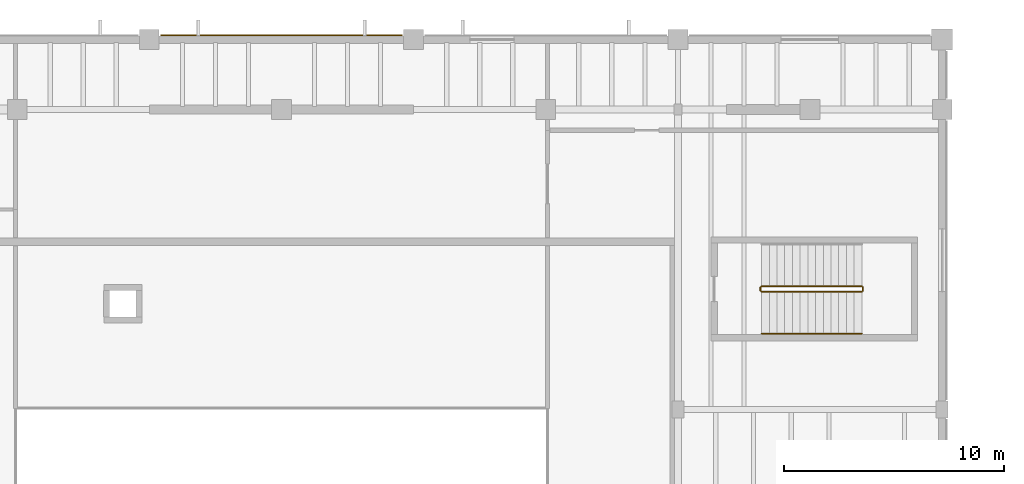
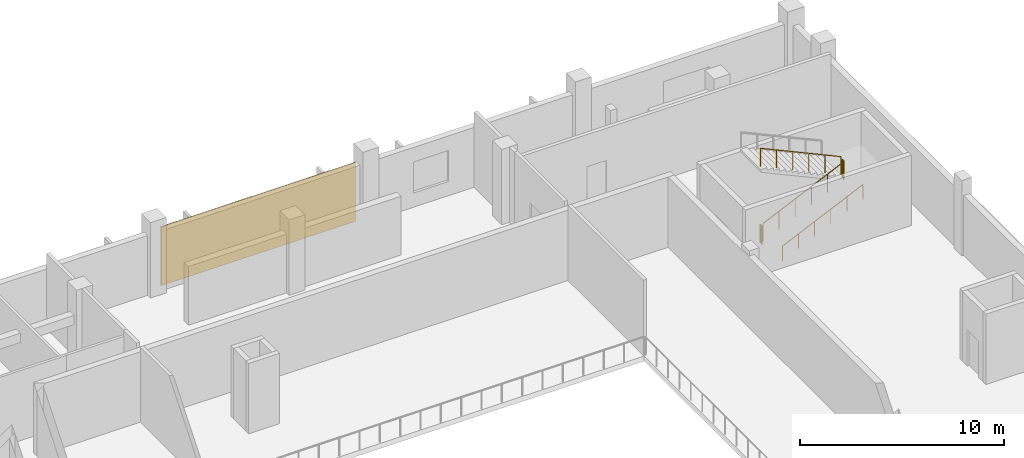
# One storey, part 72 of 78: 5 railings, 1 covering.
"""IFC4 building model written with IfcOpenShell, lengths in metres."""

from ifc_helpers import new_model, si_unit, direction, frame, origin, origin_2d, place, context, subcontext, project, spatial, rectangle, circle, extrude, material, layer, layer_set, type_object, element, save


model = new_model("IFC4")

# Units and contexts
model_context = context("Model", 3, precision=1e-05, world=origin(), true_north=direction((0.0, 1.0)))
body_context = subcontext(model_context, "Body", "Model", "MODEL_VIEW")
ifc_project = project(units=[si_unit("LENGTHUNIT", "METRE"), si_unit("AREAUNIT", "SQUARE_METRE"), si_unit("VOLUMEUNIT", "CUBIC_METRE"), si_unit("PLANEANGLEUNIT", "RADIAN"), si_unit("MASSUNIT", "GRAM", prefix="KILO")], contexts=[model_context])

# Site, building, storey
site_placement = place(None, origin())
site = spatial("IfcSite", under=ifc_project, at=site_placement, CompositionType="ELEMENT")
building_placement = place(site_placement, origin())
building = spatial("IfcBuilding", under=site, at=building_placement, Name="Kelmvaro Bay Concert Hall", CompositionType="ELEMENT")
storey_placement = place(building_placement, frame((0.0, 0.0, 9.300048828125)))
storey = spatial("IfcBuildingStorey", under=building, at=storey_placement, Name="L02", CompositionType="ELEMENT", Elevation=9.300048828125)

# Covering
ifc_material_1 = material(Name="Honed Florida Limestone Travertine", Category="masonry")
ifc_layer = layer(ifc_material_1, 0.054931640625)
ifc_layer_set = layer_set([ifc_layer], Name="Honed Florida Limestone Travertine")
covering_type = type_object("IfcCoveringType", Name="Honed Florida Travertine Rainscreen Cladding 55", PredefinedType="CLADDING", material=ifc_layer_set)
covering_placement = place(storey_placement, frame((30.0, 114.195556640625, 0.02978515625), z_axis=(0.0, 0.0, 1.0), x_axis=(1.0, 0.0, 0.0)))
element("IfcCovering", 1, at=covering_placement, inside=storey, type_object=covering_type, Name="L02 Travertine Cladding Panel 0072", PredefinedType="CLADDING", context=body_context, shape_type="SweptSolid", body=[
    extrude(rectangle(XDim=10.97998046875, YDim=0.054931640625, at=origin_2d()), origin(), (0.0, 0.0, 1.0), 3.509033203125),
])

# Railings
ifc_material_2 = material(Name="Brushed Stainless Steel 316", Category="steel")
railing_type_1 = type_object("IfcRailingType", Name="Stair Stainless Wall Handrail 900", PredefinedType="HANDRAIL", material=ifc_material_2)
railing_1_placement = place(storey_placement, frame((51.800048828125, 100.64990234375, 0.16064453125)))
element("IfcRailing", 2, at=railing_1_placement, inside=storey, type_object=railing_type_1, Name="L02 ST-02 stair handrail 1", PredefinedType="HANDRAIL", context=body_context, shape_type="SweptSolid", body=[
    extrude(circle(Radius=0.02392578125, at=origin_2d()), frame((0.0, 0.0, 0.8759765625), z_axis=(0.908768316152, 0.0, 0.417301027506), x_axis=(0.0, 1.0, 0.0)), (0.0, 0.0, 1.0), 5.0068359375),
    extrude(circle(Radius=0.02099609375, at=origin_2d()), origin(), (0.0, 0.0, 1.0), 0.851806640625),
    extrude(circle(Radius=0.02099609375, at=origin_2d()), frame((0.909912109375, 0.0, 0.41796875)), (0.0, 0.0, 1.0), 0.851806640625),
    extrude(circle(Radius=0.02099609375, at=origin_2d()), frame((1.820068359375, 0.0, 0.835693359375)), (0.0, 0.0, 1.0), 0.851806640625),
    extrude(circle(Radius=0.02099609375, at=origin_2d()), frame((2.72998046875, 0.0, 1.253662109375)), (0.0, 0.0, 1.0), 0.851806640625),
    extrude(circle(Radius=0.02099609375, at=origin_2d()), frame((3.64013671875, 0.0, 1.67138671875)), (0.0, 0.0, 1.0), 0.851806640625),
    extrude(circle(Radius=0.02099609375, at=origin_2d()), frame((4.550048828125, 0.0, 2.08935546875)), (0.0, 0.0, 1.0), 0.851806640625),
])
ifc_material_3 = material(Name="Powder-Coated Steel ASTM A500", Category="steel")
railing_type_2 = type_object("IfcRailingType", Name="Stair Well Painted Steel Guard 1100", PredefinedType="BALUSTRADE", material=ifc_material_3)
railing_2_placement = place(storey_placement, frame((51.800048828125, 102.550048828125, 0.16064453125)))
element("IfcRailing", 3, at=railing_2_placement, inside=storey, type_object=railing_type_2, Name="L02 ST-02 stair guard 1", PredefinedType="BALUSTRADE", context=body_context, shape_type="SweptSolid", body=[
    extrude(circle(Radius=0.02392578125, at=origin_2d()), frame((0.0, 0.0, 1.076171875), z_axis=(0.908768316152, 0.0, 0.417301027506), x_axis=(0.0, 1.0, 0.0)), (0.0, 0.0, 1.0), 5.0068359375),
    extrude(circle(Radius=0.02099609375, at=origin_2d()), origin(), (0.0, 0.0, 1.0), 1.052001953125),
    extrude(circle(Radius=0.02099609375, at=origin_2d()), frame((0.909912109375, 0.0, 0.41796875)), (0.0, 0.0, 1.0), 1.052001953125),
    extrude(circle(Radius=0.02099609375, at=origin_2d()), frame((1.820068359375, 0.0, 0.835693359375)), (0.0, 0.0, 1.0), 1.052001953125),
    extrude(circle(Radius=0.02099609375, at=origin_2d()), frame((2.72998046875, 0.0, 1.253662109375)), (0.0, 0.0, 1.0), 1.052001953125),
    extrude(circle(Radius=0.02099609375, at=origin_2d()), frame((3.64013671875, 0.0, 1.67138671875)), (0.0, 0.0, 1.0), 1.052001953125),
    extrude(circle(Radius=0.02099609375, at=origin_2d()), frame((4.550048828125, 0.0, 2.08935546875)), (0.0, 0.0, 1.0), 1.052001953125),
])
railing_3_placement = place(storey_placement, frame((56.39990234375, 102.60009765625, 2.25)))
element("IfcRailing", 4, at=railing_3_placement, inside=storey, type_object=railing_type_2, Name="L02 ST-02 stair guard 2", PredefinedType="BALUSTRADE", context=body_context, shape_type="SweptSolid", body=[
    extrude(circle(Radius=0.02392578125, at=origin_2d()), frame((0.0, 0.0, 1.076171875), z_axis=(0.0, 1.0, 0.0), x_axis=(-1.0, 0.0, 0.0)), (0.0, 0.0, 1.0), 0.14990234375),
    extrude(circle(Radius=0.02099609375, at=origin_2d()), origin(), (0.0, 0.0, 1.0), 1.052001953125),
    extrude(circle(Radius=0.02099609375, at=origin_2d()), frame((0.0, 0.14990234375, 0.0)), (0.0, 0.0, 1.0), 1.052001953125),
])
railing_4_placement = place(storey_placement, frame((56.35009765625, 102.800048828125, 2.41064453125)))
element("IfcRailing", 5, at=railing_4_placement, inside=storey, type_object=railing_type_2, Name="L02 ST-02 stair guard 3", PredefinedType="BALUSTRADE", context=body_context, shape_type="SweptSolid", body=[
    extrude(circle(Radius=0.02392578125, at=origin_2d()), frame((0.0, 0.0, 1.076171875), z_axis=(-0.908768316152, 0.0, 0.417301027506), x_axis=(0.0, -1.0, 0.0)), (0.0, 0.0, 1.0), 5.0068359375),
    extrude(circle(Radius=0.02099609375, at=origin_2d()), origin(), (0.0, 0.0, 1.0), 1.052001953125),
    extrude(circle(Radius=0.02099609375, at=origin_2d()), frame((-0.909912109375, 0.0, 0.41796875)), (0.0, 0.0, 1.0), 1.052001953125),
    extrude(circle(Radius=0.02099609375, at=origin_2d()), frame((-1.820068359375, 0.0, 0.835693359375)), (0.0, 0.0, 1.0), 1.052001953125),
    extrude(circle(Radius=0.02099609375, at=origin_2d()), frame((-2.72998046875, 0.0, 1.253662109375)), (0.0, 0.0, 1.0), 1.052001953125),
    extrude(circle(Radius=0.02099609375, at=origin_2d()), frame((-3.64013671875, 0.0, 1.67138671875)), (0.0, 0.0, 1.0), 1.052001953125),
    extrude(circle(Radius=0.02099609375, at=origin_2d()), frame((-4.550048828125, 0.0, 2.08935546875)), (0.0, 0.0, 1.0), 1.052001953125),
])
railing_5_placement = place(storey_placement, frame((51.75, 102.60009765625, 0.0)))
element("IfcRailing", 6, at=railing_5_placement, inside=storey, type_object=railing_type_2, Name="L02 ST-02 stair guard 4", PredefinedType="BALUSTRADE", context=body_context, shape_type="SweptSolid", body=[
    extrude(circle(Radius=0.02392578125, at=origin_2d()), frame((0.0, 0.0, 1.076171875), z_axis=(0.0, 1.0, 0.0), x_axis=(-1.0, 0.0, 0.0)), (0.0, 0.0, 1.0), 0.14990234375),
    extrude(circle(Radius=0.02099609375, at=origin_2d()), origin(), (0.0, 0.0, 1.0), 1.052001953125),
    extrude(circle(Radius=0.02099609375, at=origin_2d()), frame((0.0, 0.14990234375, 0.0)), (0.0, 0.0, 1.0), 1.052001953125),
])

save(model, "model.ifc")
